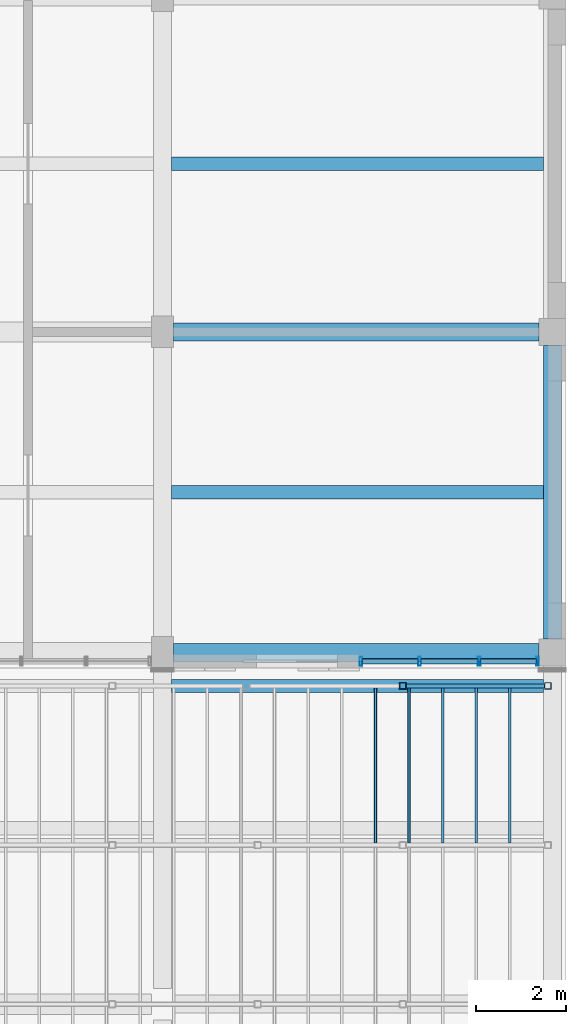
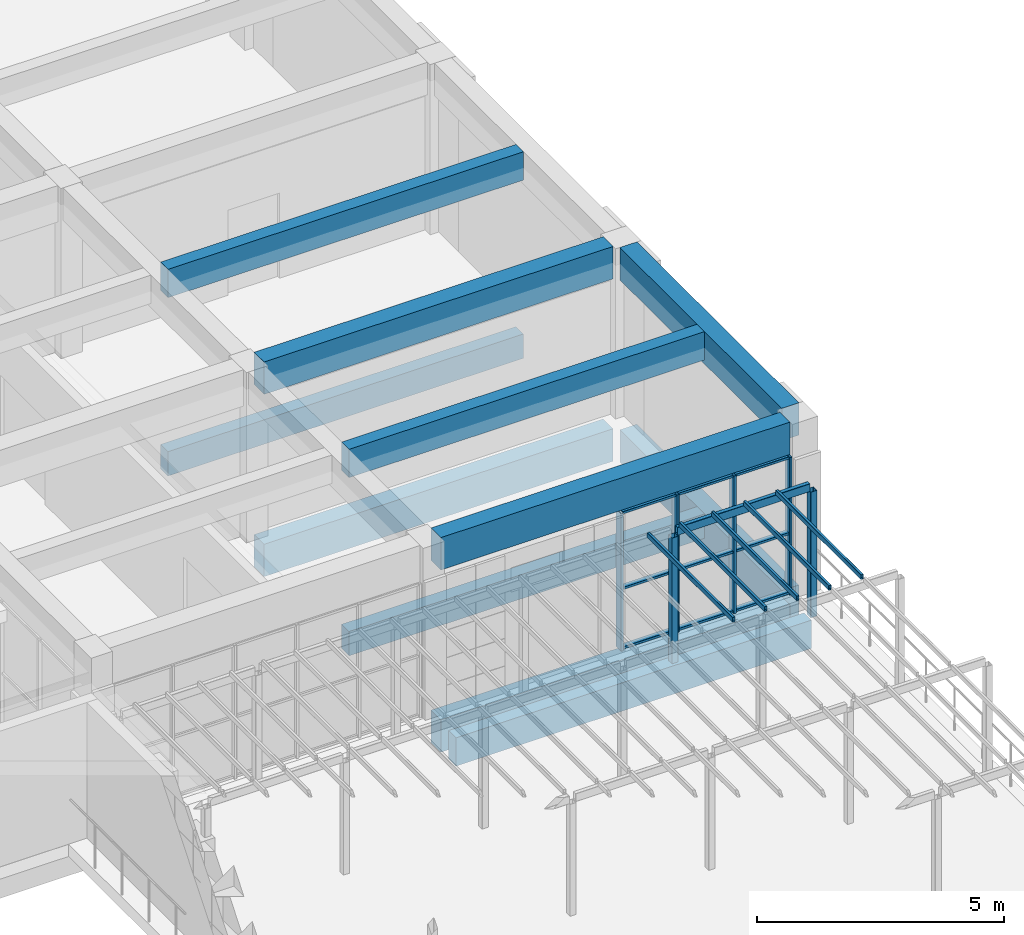
# One storey, part 10 of 26: 20 members, 12 beams, 1 element without a shape of its own.
"""IFC4 building model written with IfcOpenShell, lengths in metres."""

from ifc_helpers import new_model, si_unit, direction, frame, origin, origin_2d, place, context, subcontext, project, spatial, rectangle, hollow_rectangle, extrude, material, material_profile, profile_set, type_object, element, aggregate, save


model = new_model("IFC4")

# Units and contexts
model_context = context("Model", 3, precision=1e-05, world=origin(), true_north=direction((0.0, 1.0)))
body_context = subcontext(model_context, "Body", "Model", "MODEL_VIEW")
ifc_project = project(units=[si_unit("LENGTHUNIT", "METRE"), si_unit("AREAUNIT", "SQUARE_METRE"), si_unit("VOLUMEUNIT", "CUBIC_METRE"), si_unit("PLANEANGLEUNIT", "RADIAN"), si_unit("MASSUNIT", "GRAM", prefix="KILO")], contexts=[model_context])

# Site, building, storey
site_placement = place(None, origin())
site = spatial("IfcSite", under=ifc_project, at=site_placement, CompositionType="ELEMENT")
building_placement = place(site_placement, origin())
building = spatial("IfcBuilding", under=site, at=building_placement, Name="Sun Court Science Centre", CompositionType="ELEMENT")
storey_placement = place(building_placement, frame((0.0, 0.0, 29.25)))
storey = spatial("IfcBuildingStorey", under=building, at=storey_placement, Name="L06", CompositionType="ELEMENT", Elevation=29.25)

# Curtain wall, members
ifc_material_1 = material(Name="Aluminium EN AW-6063 T6", Category="aluminium")
curtain_wall_type = type_object("IfcCurtainWallType", Name="Laboratory tall bay curtain wall 1500", PredefinedType="NOTDEFINED", material=ifc_material_1)
curtain_wall_placement = place(storey_placement, origin())
curtain_wall = element("IfcCurtainWall", 1, at=curtain_wall_placement, inside=storey, type_object=curtain_wall_type, Name="Curtain wall V4 PS L06 01", PredefinedType="NOTDEFINED")
ifc_material_2 = material(Name="Aluminium EN AW-6063 T6", Category="aluminium")
ifc_material_profile_1 = material_profile(ifc_material_2, hollow_rectangle(XDim=0.06005859375, YDim=0.199951171875, WallThickness=0.0048828125, InnerFilletRadius=0.0048828125, OuterFilletRadius=0.007568359375, at=origin_2d()), Name="AL 60x200x5")
ifc_profile_set_1 = profile_set([ifc_material_profile_1], Name="Aluminium EN AW-6063 T6")
member_type_1 = type_object("IfcMemberType", Name="Curtain wall mullion AL 60x200", PredefinedType="MULLION", material=ifc_profile_set_1)
member_1_placement = place(storey_placement, frame((99.429931640625, 43.64990234375, 0.0), z_axis=(0.0, 0.0, 1.0), x_axis=(-1.0, 0.0, 0.0)))
member_1 = element("IfcMember", 2, at=member_1_placement, type_object=member_type_1, Name="CW2-84 mullion 4", PredefinedType="MULLION", context=body_context, shape_type="SweptSolid", body=[
    extrude(hollow_rectangle(XDim=0.06005859375, YDim=0.199951171875, WallThickness=0.0048828125, InnerFilletRadius=0.0048828125, OuterFilletRadius=0.007568359375, at=origin_2d()), origin(), (0.0, 0.0, 1.0), 3.39990234375),
])
member_2_placement = place(storey_placement, frame((100.7333984375, 43.64990234375, 0.0), z_axis=(0.0, 0.0, 1.0), x_axis=(-1.0, 0.0, 0.0)))
member_2 = element("IfcMember", 3, at=member_2_placement, type_object=member_type_1, Name="CW2-84 mullion 3", PredefinedType="MULLION", context=body_context, shape_type="SweptSolid", body=[
    extrude(hollow_rectangle(XDim=0.06005859375, YDim=0.199951171875, WallThickness=0.0048828125, InnerFilletRadius=0.0048828125, OuterFilletRadius=0.007568359375, at=origin_2d()), origin(), (0.0, 0.0, 1.0), 3.39990234375),
])
member_3_placement = place(storey_placement, frame((102.066650390625, 43.64990234375, 0.0), z_axis=(0.0, 0.0, 1.0), x_axis=(-1.0, 0.0, 0.0)))
member_3 = element("IfcMember", 4, at=member_3_placement, type_object=member_type_1, Name="CW2-84 mullion 2", PredefinedType="MULLION", context=body_context, shape_type="SweptSolid", body=[
    extrude(hollow_rectangle(XDim=0.06005859375, YDim=0.199951171875, WallThickness=0.0048828125, InnerFilletRadius=0.0048828125, OuterFilletRadius=0.007568359375, at=origin_2d()), origin(), (0.0, 0.0, 1.0), 3.39990234375),
])
member_4_placement = place(storey_placement, frame((103.3701171875, 43.64990234375, 0.0), z_axis=(0.0, 0.0, 1.0), x_axis=(-1.0, 0.0, 0.0)))
member_4 = element("IfcMember", 5, at=member_4_placement, type_object=member_type_1, Name="CW2-84 mullion 1", PredefinedType="MULLION", context=body_context, shape_type="SweptSolid", body=[
    extrude(hollow_rectangle(XDim=0.06005859375, YDim=0.199951171875, WallThickness=0.0048828125, InnerFilletRadius=0.0048828125, OuterFilletRadius=0.007568359375, at=origin_2d()), origin(), (0.0, 0.0, 1.0), 3.39990234375),
])
ifc_material_3 = material(Name="Aluminium EN AW-6063 T6", Category="aluminium")
ifc_material_profile_2 = material_profile(ifc_material_3, hollow_rectangle(XDim=0.06005859375, YDim=0.1201171875, WallThickness=0.00390625, InnerFilletRadius=0.00390625, OuterFilletRadius=0.006103515625, at=origin_2d()), Name="AL 60x120x4")
ifc_profile_set_2 = profile_set([ifc_material_profile_2], Name="Aluminium EN AW-6063 T6")
member_type_2 = type_object("IfcMemberType", Name="Curtain wall transom AL 60x120", PredefinedType="USERDEFINED", material=ifc_profile_set_2)
member_5_placement = place(storey_placement, frame((100.703369140625, 43.64990234375, 0.030029296875), z_axis=(-1.0, 0.0, 0.0), x_axis=(0.0, 0.0, 1.0)))
member_5 = element("IfcMember", 6, at=member_5_placement, type_object=member_type_2, Name="CW2-84 transom 3.1", ObjectType="TRANSOM", PredefinedType="USERDEFINED", context=body_context, shape_type="SweptSolid", body=[
    extrude(hollow_rectangle(XDim=0.06005859375, YDim=0.1201171875, WallThickness=0.00390625, InnerFilletRadius=0.00390625, OuterFilletRadius=0.006103515625, at=origin_2d()), origin(), (0.0, 0.0, 1.0), 1.243408203125),
])
member_6_placement = place(storey_placement, frame((102.03662109375, 43.64990234375, 0.030029296875), z_axis=(-1.0, 0.0, 0.0), x_axis=(0.0, 0.0, 1.0)))
member_6 = element("IfcMember", 7, at=member_6_placement, type_object=member_type_2, Name="CW2-84 transom 2.1", ObjectType="TRANSOM", PredefinedType="USERDEFINED", context=body_context, shape_type="SweptSolid", body=[
    extrude(hollow_rectangle(XDim=0.06005859375, YDim=0.1201171875, WallThickness=0.00390625, InnerFilletRadius=0.00390625, OuterFilletRadius=0.006103515625, at=origin_2d()), origin(), (0.0, 0.0, 1.0), 1.273193359375),
])
member_7_placement = place(storey_placement, frame((103.340087890625, 43.64990234375, 0.030029296875), z_axis=(-1.0, 0.0, 0.0), x_axis=(0.0, 0.0, 1.0)))
member_7 = element("IfcMember", 8, at=member_7_placement, type_object=member_type_2, Name="CW2-84 transom 1.1", ObjectType="TRANSOM", PredefinedType="USERDEFINED", context=body_context, shape_type="SweptSolid", body=[
    extrude(hollow_rectangle(XDim=0.06005859375, YDim=0.1201171875, WallThickness=0.00390625, InnerFilletRadius=0.00390625, OuterFilletRadius=0.006103515625, at=origin_2d()), origin(), (0.0, 0.0, 1.0), 1.243408203125),
])
member_8_placement = place(storey_placement, frame((100.703369140625, 43.64990234375, 1.5), z_axis=(-1.0, 0.0, 0.0), x_axis=(0.0, 0.0, 1.0)))
member_8 = element("IfcMember", 9, at=member_8_placement, type_object=member_type_2, Name="CW2-84 transom 3.2", ObjectType="TRANSOM", PredefinedType="USERDEFINED", context=body_context, shape_type="SweptSolid", body=[
    extrude(hollow_rectangle(XDim=0.06005859375, YDim=0.1201171875, WallThickness=0.00390625, InnerFilletRadius=0.00390625, OuterFilletRadius=0.006103515625, at=origin_2d()), origin(), (0.0, 0.0, 1.0), 1.243408203125),
])
member_9_placement = place(storey_placement, frame((102.03662109375, 43.64990234375, 1.5), z_axis=(-1.0, 0.0, 0.0), x_axis=(0.0, 0.0, 1.0)))
member_9 = element("IfcMember", 10, at=member_9_placement, type_object=member_type_2, Name="CW2-84 transom 2.2", ObjectType="TRANSOM", PredefinedType="USERDEFINED", context=body_context, shape_type="SweptSolid", body=[
    extrude(hollow_rectangle(XDim=0.06005859375, YDim=0.1201171875, WallThickness=0.00390625, InnerFilletRadius=0.00390625, OuterFilletRadius=0.006103515625, at=origin_2d()), origin(), (0.0, 0.0, 1.0), 1.273193359375),
])
member_10_placement = place(storey_placement, frame((103.340087890625, 43.64990234375, 1.5), z_axis=(-1.0, 0.0, 0.0), x_axis=(0.0, 0.0, 1.0)))
member_10 = element("IfcMember", 11, at=member_10_placement, type_object=member_type_2, Name="CW2-84 transom 1.2", ObjectType="TRANSOM", PredefinedType="USERDEFINED", context=body_context, shape_type="SweptSolid", body=[
    extrude(hollow_rectangle(XDim=0.06005859375, YDim=0.1201171875, WallThickness=0.00390625, InnerFilletRadius=0.00390625, OuterFilletRadius=0.006103515625, at=origin_2d()), origin(), (0.0, 0.0, 1.0), 1.243408203125),
])
member_11_placement = place(storey_placement, frame((100.703369140625, 43.64990234375, 3.3701171875), z_axis=(-1.0, 0.0, 0.0), x_axis=(0.0, 0.0, 1.0)))
member_11 = element("IfcMember", 12, at=member_11_placement, type_object=member_type_2, Name="CW2-84 transom 3.3", ObjectType="TRANSOM", PredefinedType="USERDEFINED", context=body_context, shape_type="SweptSolid", body=[
    extrude(hollow_rectangle(XDim=0.06005859375, YDim=0.1201171875, WallThickness=0.00390625, InnerFilletRadius=0.00390625, OuterFilletRadius=0.006103515625, at=origin_2d()), origin(), (0.0, 0.0, 1.0), 1.243408203125),
])
member_12_placement = place(storey_placement, frame((102.03662109375, 43.64990234375, 3.3701171875), z_axis=(-1.0, 0.0, 0.0), x_axis=(0.0, 0.0, 1.0)))
member_12 = element("IfcMember", 13, at=member_12_placement, type_object=member_type_2, Name="CW2-84 transom 2.3", ObjectType="TRANSOM", PredefinedType="USERDEFINED", context=body_context, shape_type="SweptSolid", body=[
    extrude(hollow_rectangle(XDim=0.06005859375, YDim=0.1201171875, WallThickness=0.00390625, InnerFilletRadius=0.00390625, OuterFilletRadius=0.006103515625, at=origin_2d()), origin(), (0.0, 0.0, 1.0), 1.273193359375),
])
member_13_placement = place(storey_placement, frame((103.340087890625, 43.64990234375, 3.3701171875), z_axis=(-1.0, 0.0, 0.0), x_axis=(0.0, 0.0, 1.0)))
member_13 = element("IfcMember", 14, at=member_13_placement, type_object=member_type_2, Name="CW2-84 transom 1.3", ObjectType="TRANSOM", PredefinedType="USERDEFINED", context=body_context, shape_type="SweptSolid", body=[
    extrude(hollow_rectangle(XDim=0.06005859375, YDim=0.1201171875, WallThickness=0.00390625, InnerFilletRadius=0.00390625, OuterFilletRadius=0.006103515625, at=origin_2d()), origin(), (0.0, 0.0, 1.0), 1.243408203125),
])
aggregate(curtain_wall, [member_1, member_2, member_3, member_4, member_5, member_6, member_7, member_8, member_9, member_10, member_11, member_12, member_13])

# Members
ifc_material_4 = material(Name="Steel S275", Category="steel")
ifc_material_profile_3 = material_profile(ifc_material_4, hollow_rectangle(XDim=0.14990234375, YDim=0.14990234375, WallThickness=0.008056640625, InnerFilletRadius=0.008056640625, OuterFilletRadius=0.011962890625, at=origin_2d()), Name="SHS 150x150x8")
ifc_profile_set_3 = profile_set([ifc_material_profile_3], Name="Steel S275")
member_type_3 = type_object("IfcMemberType", Name="Pergola post SHS 150x150x8", PredefinedType="POST", material=ifc_profile_set_3)
for number, where, z_axis, x_axis, name in (
    (15, (100.360107421875, 43.10009765625, -0.300048828125), (0.0, 0.0, 1.0), (1.0, 0.0, 0.0), "Pergola post 5.5"),
    (16, (103.60009765625, 43.10009765625, -0.300048828125), (0.0, 0.0, 1.0), (1.0, 0.0, 0.0), "Pergola post 6.5"),
):
    element("IfcMember", number, at=place(storey_placement, frame(where, z_axis=z_axis, x_axis=x_axis)), inside=storey, type_object=member_type_3, Name=name, PredefinedType="POST", context=body_context, shape_type="SweptSolid", body=[
        extrude(hollow_rectangle(XDim=0.14990234375, YDim=0.14990234375, WallThickness=0.008056640625, InnerFilletRadius=0.008056640625, OuterFilletRadius=0.011962890625, at=origin_2d()), origin(), (0.0, 0.0, 1.0), 3.10009765625),
    ])
ifc_material_5 = material(Name="Steel S275", Category="steel")
ifc_material_profile_4 = material_profile(ifc_material_5, hollow_rectangle(XDim=0.06005859375, YDim=0.1201171875, WallThickness=0.0048828125, InnerFilletRadius=0.0048828125, OuterFilletRadius=0.007568359375, at=origin_2d()), Name="RHS 120x60x5")
ifc_profile_set_4 = profile_set([ifc_material_profile_4], Name="Steel S275")
member_type_4 = type_object("IfcMemberType", Name="Pergola rafter RHS 120x60x5", PredefinedType="RAFTER", material=ifc_profile_set_4)
for number, where, z_axis, x_axis, name in (
    (17, (99.75, 39.60009765625, 3.06005859375), (0.0, 1.0, 0.0), (-1.0, 0.0, 0.0), "Pergola rafter"),
    (18, (100.5, 39.60009765625, 3.06005859375), (0.0, 1.0, 0.0), (-1.0, 0.0, 0.0), "Pergola rafter"),
    (19, (101.25, 39.60009765625, 3.06005859375), (0.0, 1.0, 0.0), (-1.0, 0.0, 0.0), "Pergola rafter"),
    (20, (102.0, 39.60009765625, 3.06005859375), (0.0, 1.0, 0.0), (-1.0, 0.0, 0.0), "Pergola rafter"),
    (21, (102.75, 39.60009765625, 3.06005859375), (0.0, 1.0, 0.0), (-1.0, 0.0, 0.0), "Pergola rafter"),
):
    element("IfcMember", number, at=place(storey_placement, frame(where, z_axis=z_axis, x_axis=x_axis)), inside=storey, type_object=member_type_4, Name=name, PredefinedType="RAFTER", context=body_context, shape_type="SweptSolid", body=[
        extrude(hollow_rectangle(XDim=0.06005859375, YDim=0.1201171875, WallThickness=0.0048828125, InnerFilletRadius=0.0048828125, OuterFilletRadius=0.007568359375, at=origin_2d()), origin(), (0.0, 0.0, 1.0), 3.449951171875),
    ])

# Beams
ifc_material_6 = material(Name="Concrete C25/30", Category="concrete")
ifc_material_profile_5 = material_profile(ifc_material_6, rectangle(XDim=0.39990234375, YDim=0.800048828125, at=origin_2d()), Name="RC 400x800")
ifc_profile_set_5 = profile_set([ifc_material_profile_5], Name="Concrete C25/30")
beam_type_1 = type_object("IfcBeamType", Name="RC girder 400x800", PredefinedType="BEAM", material=ifc_profile_set_5)
for number, where, z_axis, x_axis, name in (
    (22, (95.25, 43.85009765625, -0.699951171875), (1.0, 0.0, 0.0), (0.0, 1.0, 0.0), "Girder L06 row 3"),
    (23, (95.25, 51.0, -0.699951171875), (1.0, 0.0, 0.0), (0.0, 1.0, 0.0), "Girder L06 row 4"),
):
    element("IfcBeam", number, at=place(storey_placement, frame(where, z_axis=z_axis, x_axis=x_axis)), inside=storey, type_object=beam_type_1, Name=name, PredefinedType="BEAM", context=body_context, shape_type="SweptSolid", body=[
        extrude(rectangle(XDim=0.39990234375, YDim=0.800048828125, at=origin_2d()), origin(), (0.0, 0.0, 1.0), 8.14990234375),
    ])
beam_1_placement = place(storey_placement, frame((103.699951171875, 44.14990234375, -0.699951171875), z_axis=(0.0, 1.0, 0.0), x_axis=(-1.0, 0.0, 0.0)))
element("IfcBeam", 24, at=beam_1_placement, inside=storey, type_object=beam_type_1, Name="Girder L06 line 3", PredefinedType="BEAM", context=body_context, shape_type="SweptSolid", body=[
    extrude(rectangle(XDim=0.39990234375, YDim=0.800048828125, at=origin_2d()), origin(), (0.0, 0.0, 1.0), 6.550048828125),
])
for number, where, z_axis, x_axis, name in (
    (25, (95.25, 43.85009765625, 3.800048828125), (1.0, 0.0, 0.0), (0.0, 1.0, 0.0), "Girder L06P row 1"),
    (26, (95.25, 51.0, 3.800048828125), (1.0, 0.0, 0.0), (0.0, 1.0, 0.0), "Girder L06P row 2"),
):
    element("IfcBeam", number, at=place(storey_placement, frame(where, z_axis=z_axis, x_axis=x_axis)), inside=storey, type_object=beam_type_1, Name=name, PredefinedType="BEAM", context=body_context, shape_type="SweptSolid", body=[
        extrude(rectangle(XDim=0.39990234375, YDim=0.800048828125, at=origin_2d()), origin(), (0.0, 0.0, 1.0), 8.14990234375),
    ])
beam_2_placement = place(storey_placement, frame((103.699951171875, 44.14990234375, 3.800048828125), z_axis=(0.0, 1.0, 0.0), x_axis=(-1.0, 0.0, 0.0)))
element("IfcBeam", 27, at=beam_2_placement, inside=storey, type_object=beam_type_1, Name="Girder L06P line 3", PredefinedType="BEAM", context=body_context, shape_type="SweptSolid", body=[
    extrude(rectangle(XDim=0.39990234375, YDim=0.800048828125, at=origin_2d()), origin(), (0.0, 0.0, 1.0), 6.550048828125),
])
ifc_material_7 = material(Name="Concrete C25/30", Category="concrete")
ifc_material_profile_6 = material_profile(ifc_material_7, rectangle(XDim=0.300048828125, YDim=0.60009765625, at=origin_2d()), Name="RC 300x600")
ifc_profile_set_6 = profile_set([ifc_material_profile_6], Name="Concrete C25/30")
beam_type_2 = type_object("IfcBeamType", Name="RC joist 300x600", PredefinedType="JOIST", material=ifc_profile_set_6)
for number, where, z_axis, x_axis, name in (
    (28, (95.199951171875, 47.425048828125, -0.60009765625), (1.0, 0.0, 0.0), (0.0, 1.0, 0.0), "Joist L06"),
    (29, (95.199951171875, 54.75, -0.60009765625), (1.0, 0.0, 0.0), (0.0, 1.0, 0.0), "Joist L06"),
):
    element("IfcBeam", number, at=place(storey_placement, frame(where, z_axis=z_axis, x_axis=x_axis)), inside=storey, type_object=beam_type_2, Name=name, PredefinedType="JOIST", context=body_context, shape_type="SweptSolid", body=[
        extrude(rectangle(XDim=0.300048828125, YDim=0.60009765625, at=origin_2d()), origin(), (0.0, 0.0, 1.0), 8.300048828125),
    ])
ifc_material_8 = material(Name="Concrete C25/30", Category="concrete")
ifc_material_profile_7 = material_profile(ifc_material_8, rectangle(XDim=0.300048828125, YDim=0.699951171875, at=origin_2d()), Name="RC 300x700")
ifc_profile_set_7 = profile_set([ifc_material_profile_7], Name="Concrete C25/30")
beam_type_3 = type_object("IfcBeamType", Name="RC joist 300x700", PredefinedType="JOIST", material=ifc_profile_set_7)
for number, where, z_axis, x_axis, name in (
    (30, (95.199951171875, 47.425048828125, 3.85009765625), (1.0, 0.0, 0.0), (0.0, 1.0, 0.0), "Joist L06P"),
    (31, (95.199951171875, 54.75, 3.85009765625), (1.0, 0.0, 0.0), (0.0, 1.0, 0.0), "Joist L06P"),
    (32, (95.199951171875, 43.10009765625, -0.64990234375), (1.0, 0.0, 0.0), (0.0, 1.0, 0.0), "Joist L06 under pergola posts"),
):
    element("IfcBeam", number, at=place(storey_placement, frame(where, z_axis=z_axis, x_axis=x_axis)), inside=storey, type_object=beam_type_3, Name=name, PredefinedType="JOIST", context=body_context, shape_type="SweptSolid", body=[
        extrude(rectangle(XDim=0.300048828125, YDim=0.699951171875, at=origin_2d()), origin(), (0.0, 0.0, 1.0), 8.300048828125),
    ])
ifc_material_9 = material(Name="Steel S275", Category="steel")
ifc_material_profile_8 = material_profile(ifc_material_9, hollow_rectangle(XDim=0.10009765625, YDim=0.199951171875, WallThickness=0.008056640625, InnerFilletRadius=0.008056640625, OuterFilletRadius=0.011962890625, at=origin_2d()), Name="RHS 200x100x8")
ifc_profile_set_8 = profile_set([ifc_material_profile_8], Name="Steel S275")
beam_type_4 = type_object("IfcBeamType", Name="Steel beam RHS 200x100x8", PredefinedType="BEAM", material=ifc_profile_set_8)
beam_3_placement = place(storey_placement, frame((100.43505859375, 43.10009765625, 2.89990234375), z_axis=(1.0, 0.0, 0.0), x_axis=(0.0, 1.0, 0.0)))
element("IfcBeam", 33, at=beam_3_placement, inside=storey, type_object=beam_type_4, Name="Pergola beam 5", PredefinedType="BEAM", context=body_context, shape_type="SweptSolid", body=[
    extrude(hollow_rectangle(XDim=0.10009765625, YDim=0.199951171875, WallThickness=0.008056640625, InnerFilletRadius=0.008056640625, OuterFilletRadius=0.011962890625, at=origin_2d()), origin(), (0.0, 0.0, 1.0), 3.08984375),
])

save(model, "model.ifc")
